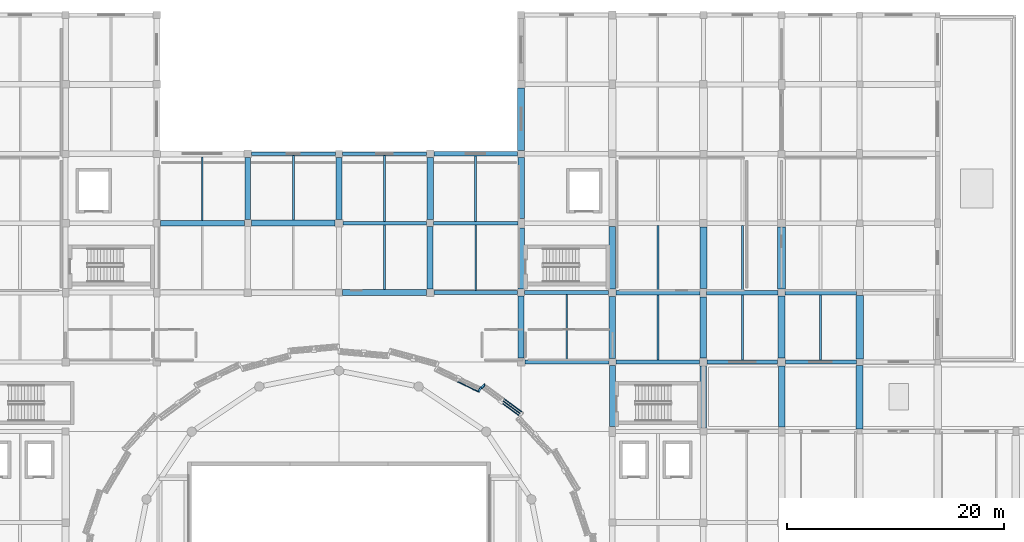
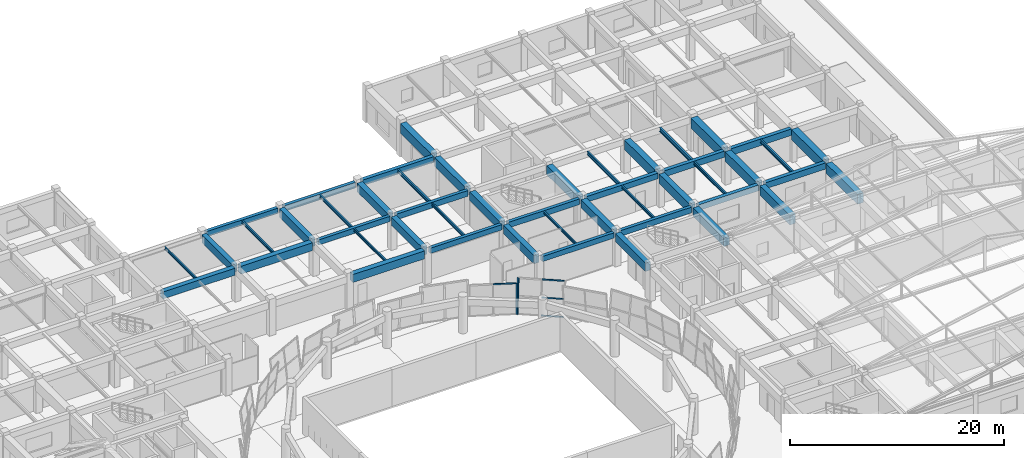
# One storey, part 36 of 74: 48 beams, 6 members, 2 elements without a shape of their own.
"""IFC4 building model written with IfcOpenShell, lengths in metres."""

from ifc_helpers import new_model, si_unit, direction, frame, origin, origin_2d, place, context, subcontext, project, spatial, rectangle, hollow_rectangle, i_section, extrude, material, material_profile, profile_set, type_object, element, aggregate, save


model = new_model("IFC4")

# Units and contexts
model_context = context("Model", 3, precision=1e-05, world=origin(), true_north=direction((0.0, 1.0)))
body_context = subcontext(model_context, "Body", "Model", "MODEL_VIEW")
ifc_project = project(units=[si_unit("LENGTHUNIT", "METRE"), si_unit("AREAUNIT", "SQUARE_METRE"), si_unit("VOLUMEUNIT", "CUBIC_METRE"), si_unit("PLANEANGLEUNIT", "RADIAN"), si_unit("MASSUNIT", "GRAM", prefix="KILO")], contexts=[model_context])

# Site, building, storey
site_placement = place(None, origin())
site = spatial("IfcSite", under=ifc_project, at=site_placement, CompositionType="ELEMENT")
building_placement = place(site_placement, origin())
building = spatial("IfcBuilding", under=site, at=building_placement, Name="Korsvaeld Concert Hall", CompositionType="ELEMENT")
storey_placement = place(building_placement, frame((0.0, 0.0, 9.0)))
storey = spatial("IfcBuildingStorey", under=building, at=storey_placement, Name="L02", CompositionType="ELEMENT", Elevation=9.0)

# Beams
ifc_material_1 = material(Name="Concrete C35/45", Category="concrete")
ifc_material_profile_1 = material_profile(ifc_material_1, rectangle(XDim=0.35009765625, YDim=0.60009765625, at=origin_2d()), Name="RC 350x600")
ifc_profile_set_1 = profile_set([ifc_material_profile_1], Name="Concrete C35/45")
beam_type_1 = type_object("IfcBeamType", Name="BM-RC-350x600", PredefinedType="T_BEAM", material=ifc_profile_set_1)
for number, where, z_axis, x_axis, name in (
    (1, (101.14990234375, 83.199951171875, 3.5400390625), (1.0, 0.0, 0.0), (0.0, 1.0, 0.0), "Primary girder 14-15/M L02"),
    (2, (92.75, 89.60009765625, 3.5400390625), (1.0, 0.0, 0.0), (0.0, 1.0, 0.0), "Primary girder 13-14/N L02"),
):
    element("IfcBeam", number, at=place(storey_placement, frame(where, z_axis=z_axis, x_axis=x_axis)), inside=storey, type_object=beam_type_1, Name=name, PredefinedType="T_BEAM", context=body_context, shape_type="SweptSolid", body=[
        extrude(rectangle(XDim=0.35009765625, YDim=0.60009765625, at=origin_2d()), origin(), (0.0, 0.0, 1.0), 7.72509765625),
    ])
beam_1_placement = place(storey_placement, frame((84.35009765625, 96.0, 3.5400390625), z_axis=(1.0, 0.0, 0.0), x_axis=(0.0, 1.0, 0.0)))
element("IfcBeam", 3, at=beam_1_placement, inside=storey, type_object=beam_type_1, Name="Primary girder 12-13/P L02", PredefinedType="T_BEAM", context=body_context, shape_type="SweptSolid", body=[
    extrude(rectangle(XDim=0.35009765625, YDim=0.60009765625, at=origin_2d()), origin(), (0.0, 0.0, 1.0), 7.724853515625),
])
beam_2_placement = place(storey_placement, frame((75.949951171875, 102.39990234375, 3.5400390625), z_axis=(1.0, 0.0, 0.0), x_axis=(0.0, 1.0, 0.0)))
element("IfcBeam", 4, at=beam_2_placement, inside=storey, type_object=beam_type_1, Name="Primary girder 11-12/Q L02", PredefinedType="T_BEAM", context=body_context, shape_type="SweptSolid", body=[
    extrude(rectangle(XDim=0.35009765625, YDim=0.60009765625, at=origin_2d()), origin(), (0.0, 0.0, 1.0), 7.72509765625),
])
ifc_material_profile_2 = material_profile(ifc_material_1, rectangle(XDim=0.35009765625, YDim=0.64990234375, at=origin_2d()), Name="RC 350x650")
ifc_profile_set_2 = profile_set([ifc_material_profile_2], Name="Concrete C35/45")
beam_type_2 = type_object("IfcBeamType", Name="BM-RC-350x650", PredefinedType="T_BEAM", material=ifc_profile_set_2)
for number, where, z_axis, x_axis, name in (
    (5, (109.52490234375, 83.199951171875, 3.514892578125), (1.0, 0.0, 0.0), (0.0, 1.0, 0.0), "Primary girder 15-16/M L02"),
    (6, (101.125, 89.60009765625, 3.514892578125), (1.0, 0.0, 0.0), (0.0, 1.0, 0.0), "Primary girder 14-15/N L02"),
):
    element("IfcBeam", number, at=place(storey_placement, frame(where, z_axis=z_axis, x_axis=x_axis)), inside=storey, type_object=beam_type_2, Name=name, PredefinedType="T_BEAM", context=body_context, shape_type="SweptSolid", body=[
        extrude(rectangle(XDim=0.35009765625, YDim=0.64990234375, at=origin_2d()), origin(), (0.0, 0.0, 1.0), 7.72509765625),
    ])
beam_3_placement = place(storey_placement, frame((92.72509765625, 96.0, 3.514892578125), z_axis=(1.0, 0.0, 0.0), x_axis=(0.0, 1.0, 0.0)))
element("IfcBeam", 7, at=beam_3_placement, inside=storey, type_object=beam_type_2, Name="Primary girder 13-14/P L02", PredefinedType="T_BEAM", context=body_context, shape_type="SweptSolid", body=[
    extrude(rectangle(XDim=0.35009765625, YDim=0.64990234375, at=origin_2d()), origin(), (0.0, 0.0, 1.0), 7.77490234375),
])
beam_4_placement = place(storey_placement, frame((84.324951171875, 102.39990234375, 3.514892578125), z_axis=(1.0, 0.0, 0.0), x_axis=(0.0, 1.0, 0.0)))
element("IfcBeam", 8, at=beam_4_placement, inside=storey, type_object=beam_type_2, Name="Primary girder 12-13/Q L02", PredefinedType="T_BEAM", context=body_context, shape_type="SweptSolid", body=[
    extrude(rectangle(XDim=0.35009765625, YDim=0.64990234375, at=origin_2d()), origin(), (0.0, 0.0, 1.0), 7.72509765625),
])
ifc_material_profile_3 = material_profile(ifc_material_1, rectangle(XDim=0.39990234375, YDim=0.64990234375, at=origin_2d()), Name="RC 400x650")
ifc_profile_set_3 = profile_set([ifc_material_profile_3], Name="Concrete C35/45")
beam_type_3 = type_object("IfcBeamType", Name="BM-RC-400x650", PredefinedType="T_BEAM", material=ifc_profile_set_3)
beam_5_placement = place(storey_placement, frame((117.949951171875, 83.199951171875, 3.514892578125), z_axis=(1.0, 0.0, 0.0), x_axis=(0.0, 1.0, 0.0)))
element("IfcBeam", 9, at=beam_5_placement, inside=storey, type_object=beam_type_3, Name="Primary girder 16-17/M L02", PredefinedType="T_BEAM", context=body_context, shape_type="SweptSolid", body=[
    extrude(rectangle(XDim=0.39990234375, YDim=0.64990234375, at=origin_2d()), origin(), (0.0, 0.0, 1.0), 6.5),
])
beam_6_placement = place(storey_placement, frame((109.550048828125, 89.60009765625, 3.514892578125), z_axis=(1.0, 0.0, 0.0), x_axis=(0.0, 1.0, 0.0)))
element("IfcBeam", 10, at=beam_6_placement, inside=storey, type_object=beam_type_3, Name="Primary girder 15-16/N L02", PredefinedType="T_BEAM", context=body_context, shape_type="SweptSolid", body=[
    extrude(rectangle(XDim=0.39990234375, YDim=0.64990234375, at=origin_2d()), origin(), (0.0, 0.0, 1.0), 7.75),
])
beam_7_placement = place(storey_placement, frame((92.75, 102.39990234375, 3.514892578125), z_axis=(1.0, 0.0, 0.0), x_axis=(0.0, 1.0, 0.0)))
element("IfcBeam", 11, at=beam_7_placement, inside=storey, type_object=beam_type_3, Name="Primary girder 13-14/Q L02", PredefinedType="T_BEAM", context=body_context, shape_type="SweptSolid", body=[
    extrude(rectangle(XDim=0.39990234375, YDim=0.64990234375, at=origin_2d()), origin(), (0.0, 0.0, 1.0), 7.72509765625),
])
ifc_material_profile_4 = material_profile(ifc_material_1, rectangle(XDim=0.39990234375, YDim=0.699951171875, at=origin_2d()), Name="RC 400x700")
ifc_profile_set_4 = profile_set([ifc_material_profile_4], Name="Concrete C35/45")
beam_type_4 = type_object("IfcBeamType", Name="BM-RC-400x700", PredefinedType="T_BEAM", material=ifc_profile_set_4)
beam_8_placement = place(storey_placement, frame((125.14990234375, 83.199951171875, 3.489990234375), z_axis=(1.0, 0.0, 0.0), x_axis=(0.0, 1.0, 0.0)))
element("IfcBeam", 12, at=beam_8_placement, inside=storey, type_object=beam_type_4, Name="Primary girder 17-18/M L02", PredefinedType="T_BEAM", context=body_context, shape_type="SweptSolid", body=[
    extrude(rectangle(XDim=0.39990234375, YDim=0.699951171875, at=origin_2d()), origin(), (0.0, 0.0, 1.0), 6.550048828125),
])
beam_9_placement = place(storey_placement, frame((117.89990234375, 89.60009765625, 3.489990234375), z_axis=(1.0, 0.0, 0.0), x_axis=(0.0, 1.0, 0.0)))
element("IfcBeam", 13, at=beam_9_placement, inside=storey, type_object=beam_type_4, Name="Primary girder 16-17/N L02", PredefinedType="T_BEAM", context=body_context, shape_type="SweptSolid", body=[
    extrude(rectangle(XDim=0.39990234375, YDim=0.699951171875, at=origin_2d()), origin(), (0.0, 0.0, 1.0), 6.5751953125),
])
ifc_material_profile_5 = material_profile(ifc_material_1, rectangle(XDim=0.39990234375, YDim=0.75, at=origin_2d()), Name="RC 400x750")
ifc_profile_set_5 = profile_set([ifc_material_profile_5], Name="Concrete C35/45")
beam_type_5 = type_object("IfcBeamType", Name="BM-RC-400x750", PredefinedType="T_BEAM", material=ifc_profile_set_5)
beam_10_placement = place(storey_placement, frame((125.125, 89.60009765625, 3.465087890625), z_axis=(1.0, 0.0, 0.0), x_axis=(0.0, 1.0, 0.0)))
element("IfcBeam", 14, at=beam_10_placement, inside=storey, type_object=beam_type_5, Name="Primary girder 17-18/N L02", PredefinedType="T_BEAM", context=body_context, shape_type="SweptSolid", body=[
    extrude(rectangle(XDim=0.39990234375, YDim=0.75, at=origin_2d()), origin(), (0.0, 0.0, 1.0), 6.60009765625),
])
ifc_material_2 = material(Name="Concrete C40/50", Category="concrete")
ifc_material_profile_6 = material_profile(ifc_material_2, rectangle(XDim=0.5, YDim=0.800048828125, at=origin_2d()), Name="RC 500x800")
ifc_profile_set_6 = profile_set([ifc_material_profile_6], Name="Concrete C40/50")
beam_type_6 = type_object("IfcBeamType", Name="BM-RC-500x800", PredefinedType="T_BEAM", material=ifc_profile_set_6)
beam_11_placement = place(storey_placement, frame((67.550048828125, 96.0, 3.43994140625), z_axis=(1.0, 0.0, 0.0), x_axis=(0.0, 1.0, 0.0)))
element("IfcBeam", 15, at=beam_11_placement, inside=storey, type_object=beam_type_6, Name="Primary girder 10-11/P L02", PredefinedType="T_BEAM", context=body_context, shape_type="SweptSolid", body=[
    extrude(rectangle(XDim=0.5, YDim=0.800048828125, at=origin_2d()), origin(), (0.0, 0.0, 1.0), 7.724853515625),
])
ifc_material_profile_7 = material_profile(ifc_material_2, rectangle(XDim=0.5, YDim=0.89990234375, at=origin_2d()), Name="RC 500x900")
ifc_profile_set_7 = profile_set([ifc_material_profile_7], Name="Concrete C40/50")
beam_type_7 = type_object("IfcBeamType", Name="BM-RC-500x900", PredefinedType="T_BEAM", material=ifc_profile_set_7)
beam_12_placement = place(storey_placement, frame((75.60009765625, 96.324951171875, 3.389892578125), z_axis=(0.0, 1.0, 0.0), x_axis=(-1.0, 0.0, 0.0)))
element("IfcBeam", 16, at=beam_12_placement, inside=storey, type_object=beam_type_7, Name="Primary girder 11/P-Q L02", PredefinedType="T_BEAM", context=body_context, shape_type="SweptSolid", body=[
    extrude(rectangle(XDim=0.5, YDim=0.89990234375, at=origin_2d()), origin(), (0.0, 0.0, 1.0), 5.72509765625),
])
ifc_material_profile_8 = material_profile(ifc_material_2, rectangle(XDim=0.550048828125, YDim=0.89990234375, at=origin_2d()), Name="RC 550x900")
ifc_profile_set_8 = profile_set([ifc_material_profile_8], Name="Concrete C40/50")
beam_type_8 = type_object("IfcBeamType", Name="BM-RC-550x900", PredefinedType="T_BEAM", material=ifc_profile_set_8)
beam_13_placement = place(storey_placement, frame((84.324951171875, 89.60009765625, 3.389892578125), z_axis=(1.0, 0.0, 0.0), x_axis=(0.0, 1.0, 0.0)))
element("IfcBeam", 17, at=beam_13_placement, inside=storey, type_object=beam_type_8, Name="Primary girder 12-13/N L02", PredefinedType="T_BEAM", context=body_context, shape_type="SweptSolid", body=[
    extrude(rectangle(XDim=0.550048828125, YDim=0.89990234375, at=origin_2d()), origin(), (0.0, 0.0, 1.0), 7.72509765625),
])
beam_14_placement = place(storey_placement, frame((75.925048828125, 96.0, 3.389892578125), z_axis=(1.0, 0.0, 0.0), x_axis=(0.0, 1.0, 0.0)))
element("IfcBeam", 18, at=beam_14_placement, inside=storey, type_object=beam_type_8, Name="Primary girder 11-12/P L02", PredefinedType="T_BEAM", context=body_context, shape_type="SweptSolid", body=[
    extrude(rectangle(XDim=0.550048828125, YDim=0.89990234375, at=origin_2d()), origin(), (0.0, 0.0, 1.0), 7.724853515625),
])
ifc_material_profile_9 = material_profile(ifc_material_2, rectangle(XDim=0.550048828125, YDim=0.949951171875, at=origin_2d()), Name="RC 550x950")
ifc_profile_set_9 = profile_set([ifc_material_profile_9], Name="Concrete C40/50")
beam_type_9 = type_object("IfcBeamType", Name="BM-RC-550x950", PredefinedType="T_BEAM", material=ifc_profile_set_9)
beam_15_placement = place(storey_placement, frame((84.0, 96.35009765625, 3.364990234375), z_axis=(0.0, 1.0, 0.0), x_axis=(-1.0, 0.0, 0.0)))
element("IfcBeam", 19, at=beam_15_placement, inside=storey, type_object=beam_type_9, Name="Primary girder 12/P-Q L02", PredefinedType="T_BEAM", context=body_context, shape_type="SweptSolid", body=[
    extrude(rectangle(XDim=0.550048828125, YDim=0.949951171875, at=origin_2d()), origin(), (0.0, 0.0, 1.0), 5.724853515625),
])
beam_16_placement = place(storey_placement, frame((92.39990234375, 89.949951171875, 3.364990234375), z_axis=(0.0, 1.0, 0.0), x_axis=(-1.0, 0.0, 0.0)))
element("IfcBeam", 20, at=beam_16_placement, inside=storey, type_object=beam_type_9, Name="Primary girder 13/N-P L02", PredefinedType="T_BEAM", context=body_context, shape_type="SweptSolid", body=[
    extrude(rectangle(XDim=0.550048828125, YDim=0.949951171875, at=origin_2d()), origin(), (0.0, 0.0, 1.0), 5.72509765625),
])
beam_17_placement = place(storey_placement, frame((100.800048828125, 83.550048828125, 3.364990234375), z_axis=(0.0, 1.0, 0.0), x_axis=(-1.0, 0.0, 0.0)))
element("IfcBeam", 21, at=beam_17_placement, inside=storey, type_object=beam_type_9, Name="Primary girder 14/M-N L02", PredefinedType="T_BEAM", context=body_context, shape_type="SweptSolid", body=[
    extrude(rectangle(XDim=0.550048828125, YDim=0.949951171875, at=origin_2d()), origin(), (0.0, 0.0, 1.0), 5.724853515625),
])
beam_18_placement = place(storey_placement, frame((109.199951171875, 77.25, 3.364990234375), z_axis=(0.0, 1.0, 0.0), x_axis=(-1.0, 0.0, 0.0)))
element("IfcBeam", 22, at=beam_18_placement, inside=storey, type_object=beam_type_9, Name="Primary girder 15/L-M L02", PredefinedType="T_BEAM", context=body_context, shape_type="SweptSolid", body=[
    extrude(rectangle(XDim=0.550048828125, YDim=0.949951171875, at=origin_2d()), origin(), (0.0, 0.0, 1.0), 5.625),
])
ifc_material_profile_10 = material_profile(ifc_material_2, rectangle(XDim=0.60009765625, YDim=1.050048828125, at=origin_2d()), Name="RC 600x1050")
ifc_profile_set_10 = profile_set([ifc_material_profile_10], Name="Concrete C40/50")
beam_type_10 = type_object("IfcBeamType", Name="BM-RC-600x1050", PredefinedType="T_BEAM", material=ifc_profile_set_10)
beam_19_placement = place(storey_placement, frame((100.800048828125, 96.449951171875, 3.31494140625), z_axis=(0.0, 1.0, 0.0), x_axis=(-1.0, 0.0, 0.0)))
element("IfcBeam", 23, at=beam_19_placement, inside=storey, type_object=beam_type_10, Name="Primary girder 14/P-Q L02", PredefinedType="T_BEAM", context=body_context, shape_type="SweptSolid", body=[
    extrude(rectangle(XDim=0.60009765625, YDim=1.050048828125, at=origin_2d()), origin(), (0.0, 0.0, 1.0), 5.625),
])
beam_20_placement = place(storey_placement, frame((109.199951171875, 89.949951171875, 3.31494140625), z_axis=(0.0, 1.0, 0.0), x_axis=(-1.0, 0.0, 0.0)))
element("IfcBeam", 24, at=beam_20_placement, inside=storey, type_object=beam_type_10, Name="Primary girder 15/N-P L02", PredefinedType="T_BEAM", context=body_context, shape_type="SweptSolid", body=[
    extrude(rectangle(XDim=0.60009765625, YDim=1.050048828125, at=origin_2d()), origin(), (0.0, 0.0, 1.0), 5.72509765625),
])
beam_21_placement = place(storey_placement, frame((117.60009765625, 83.550048828125, 3.31494140625), z_axis=(0.0, 1.0, 0.0), x_axis=(-1.0, 0.0, 0.0)))
element("IfcBeam", 25, at=beam_21_placement, inside=storey, type_object=beam_type_10, Name="Primary girder 16/M-N L02", PredefinedType="T_BEAM", context=body_context, shape_type="SweptSolid", body=[
    extrude(rectangle(XDim=0.60009765625, YDim=1.050048828125, at=origin_2d()), origin(), (0.0, 0.0, 1.0), 5.64990234375),
])
beam_22_placement = place(storey_placement, frame((124.800048828125, 77.199951171875, 3.31494140625), z_axis=(0.0, 1.0, 0.0), x_axis=(-1.0, 0.0, 0.0)))
element("IfcBeam", 26, at=beam_22_placement, inside=storey, type_object=beam_type_10, Name="Primary girder 17/L-M L02", PredefinedType="T_BEAM", context=body_context, shape_type="SweptSolid", body=[
    extrude(rectangle(XDim=0.60009765625, YDim=1.050048828125, at=origin_2d()), origin(), (0.0, 0.0, 1.0), 5.650146484375),
])
ifc_material_profile_11 = material_profile(ifc_material_2, rectangle(XDim=0.60009765625, YDim=0.949951171875, at=origin_2d()), Name="RC 600x950")
ifc_profile_set_11 = profile_set([ifc_material_profile_11], Name="Concrete C40/50")
beam_type_11 = type_object("IfcBeamType", Name="BM-RC-600x950", PredefinedType="T_BEAM", material=ifc_profile_set_11)
beam_23_placement = place(storey_placement, frame((92.39990234375, 96.324951171875, 3.364990234375), z_axis=(0.0, 1.0, 0.0), x_axis=(-1.0, 0.0, 0.0)))
element("IfcBeam", 27, at=beam_23_placement, inside=storey, type_object=beam_type_11, Name="Primary girder 13/P-Q L02", PredefinedType="T_BEAM", context=body_context, shape_type="SweptSolid", body=[
    extrude(rectangle(XDim=0.60009765625, YDim=0.949951171875, at=origin_2d()), origin(), (0.0, 0.0, 1.0), 5.72509765625),
])
beam_24_placement = place(storey_placement, frame((100.800048828125, 89.925048828125, 3.364990234375), z_axis=(0.0, 1.0, 0.0), x_axis=(-1.0, 0.0, 0.0)))
element("IfcBeam", 28, at=beam_24_placement, inside=storey, type_object=beam_type_11, Name="Primary girder 14/N-P L02", PredefinedType="T_BEAM", context=body_context, shape_type="SweptSolid", body=[
    extrude(rectangle(XDim=0.60009765625, YDim=0.949951171875, at=origin_2d()), origin(), (0.0, 0.0, 1.0), 5.625),
])
for number, where, z_axis, x_axis, name in (
    (29, (109.199951171875, 83.52490234375, 3.364990234375), (0.0, 1.0, 0.0), (-1.0, 0.0, 0.0), "Primary girder 15/M-N L02"),
    (30, (117.60009765625, 77.125, 3.364990234375), (0.0, 1.0, 0.0), (-1.0, 0.0, 0.0), "Primary girder 16/L-M L02"),
):
    element("IfcBeam", number, at=place(storey_placement, frame(where, z_axis=z_axis, x_axis=x_axis)), inside=storey, type_object=beam_type_11, Name=name, PredefinedType="T_BEAM", context=body_context, shape_type="SweptSolid", body=[
        extrude(rectangle(XDim=0.60009765625, YDim=0.949951171875, at=origin_2d()), origin(), (0.0, 0.0, 1.0), 5.72509765625),
    ])
ifc_material_profile_12 = material_profile(ifc_material_2, rectangle(XDim=0.64990234375, YDim=1.10009765625, at=origin_2d()), Name="RC 650x1100")
ifc_profile_set_12 = profile_set([ifc_material_profile_12], Name="Concrete C40/50")
beam_type_12 = type_object("IfcBeamType", Name="BM-RC-650x1100", PredefinedType="T_BEAM", material=ifc_profile_set_12)
beam_25_placement = place(storey_placement, frame((100.800048828125, 102.72509765625, 3.2900390625), z_axis=(0.0, 1.0, 0.0), x_axis=(-1.0, 0.0, 0.0)))
element("IfcBeam", 31, at=beam_25_placement, inside=storey, type_object=beam_type_12, Name="Primary girder 14/Q-R L02", PredefinedType="T_BEAM", context=body_context, shape_type="SweptSolid", body=[
    extrude(rectangle(XDim=0.64990234375, YDim=1.10009765625, at=origin_2d()), origin(), (0.0, 0.0, 1.0), 5.724853515625),
])
beam_26_placement = place(storey_placement, frame((117.60009765625, 90.0, 3.2900390625), z_axis=(0.0, 1.0, 0.0), x_axis=(-1.0, 0.0, 0.0)))
element("IfcBeam", 32, at=beam_26_placement, inside=storey, type_object=beam_type_12, Name="Primary girder 16/N-P L02", PredefinedType="T_BEAM", context=body_context, shape_type="SweptSolid", body=[
    extrude(rectangle(XDim=0.64990234375, YDim=1.10009765625, at=origin_2d()), origin(), (0.0, 0.0, 1.0), 5.64990234375),
])
beam_27_placement = place(storey_placement, frame((124.800048828125, 83.550048828125, 3.2900390625), z_axis=(0.0, 1.0, 0.0), x_axis=(-1.0, 0.0, 0.0)))
element("IfcBeam", 33, at=beam_27_placement, inside=storey, type_object=beam_type_12, Name="Primary girder 17/M-N L02", PredefinedType="T_BEAM", context=body_context, shape_type="SweptSolid", body=[
    extrude(rectangle(XDim=0.64990234375, YDim=1.10009765625, at=origin_2d()), origin(), (0.0, 0.0, 1.0), 5.724853515625),
])
beam_28_placement = place(storey_placement, frame((132.0, 77.02490234375, 3.2900390625), z_axis=(0.0, 1.0, 0.0), x_axis=(-1.0, 0.0, 0.0)))
element("IfcBeam", 34, at=beam_28_placement, inside=storey, type_object=beam_type_12, Name="Primary girder 18/L-M L02", PredefinedType="T_BEAM", context=body_context, shape_type="SweptSolid", body=[
    extrude(rectangle(XDim=0.64990234375, YDim=1.10009765625, at=origin_2d()), origin(), (0.0, 0.0, 1.0), 5.875),
])
ifc_material_profile_13 = material_profile(ifc_material_2, rectangle(XDim=0.699951171875, YDim=1.14990234375, at=origin_2d()), Name="RC 700x1150")
ifc_profile_set_13 = profile_set([ifc_material_profile_13], Name="Concrete C40/50")
beam_type_13 = type_object("IfcBeamType", Name="BM-RC-700x1150", PredefinedType="T_BEAM", material=ifc_profile_set_13)
beam_29_placement = place(storey_placement, frame((124.800048828125, 89.925048828125, 3.264892578125), z_axis=(0.0, 1.0, 0.0), x_axis=(-1.0, 0.0, 0.0)))
element("IfcBeam", 35, at=beam_29_placement, inside=storey, type_object=beam_type_13, Name="Primary girder 17/N-P L02", PredefinedType="T_BEAM", context=body_context, shape_type="SweptSolid", body=[
    extrude(rectangle(XDim=0.699951171875, YDim=1.14990234375, at=origin_2d()), origin(), (0.0, 0.0, 1.0), 5.724853515625),
])
beam_30_placement = place(storey_placement, frame((132.0, 83.5, 3.264892578125), z_axis=(0.0, 1.0, 0.0), x_axis=(-1.0, 0.0, 0.0)))
element("IfcBeam", 36, at=beam_30_placement, inside=storey, type_object=beam_type_13, Name="Primary girder 18/M-N L02", PredefinedType="T_BEAM", context=body_context, shape_type="SweptSolid", body=[
    extrude(rectangle(XDim=0.699951171875, YDim=1.14990234375, at=origin_2d()), origin(), (0.0, 0.0, 1.0), 5.824951171875),
])
ifc_material_3 = material(Name="Steel S355J2", Category="steel")
ifc_material_profile_14 = material_profile(ifc_material_3, i_section(OverallWidth=0.14990234375, OverallDepth=0.300048828125, WebThickness=0.007080078125, FlangeThickness=0.0107421875, FilletRadius=0.014892578125, at=origin_2d()), Name="IPE 300")
ifc_profile_set_14 = profile_set([ifc_material_profile_14], Name="Steel S355J2")
beam_type_14 = type_object("IfcBeamType", Name="BM-STL-IPE300", PredefinedType="JOIST", material=ifc_profile_set_14)
beam_31_placement = place(storey_placement, frame((71.39990234375, 96.25, 3.68994140625), z_axis=(0.0, 1.0, 0.0), x_axis=(-1.0, 0.0, 0.0)))
element("IfcBeam", 37, at=beam_31_placement, inside=storey, type_object=beam_type_14, Name="Secondary steel floor beam 10-11/P L02", PredefinedType="JOIST", context=body_context, shape_type="SweptSolid", body=[
    extrude(i_section(OverallWidth=0.14990234375, OverallDepth=0.300048828125, WebThickness=0.007080078125, FlangeThickness=0.0107421875, FilletRadius=0.014892578125, at=origin_2d()), origin(), (0.0, 0.0, 1.0), 5.875),
])
beam_32_placement = place(storey_placement, frame((88.199951171875, 89.875, 3.68994140625), z_axis=(0.0, 1.0, 0.0), x_axis=(-1.0, 0.0, 0.0)))
element("IfcBeam", 38, at=beam_32_placement, inside=storey, type_object=beam_type_14, Name="Secondary steel floor beam 12-13/N L02", PredefinedType="JOIST", context=body_context, shape_type="SweptSolid", body=[
    extrude(i_section(OverallWidth=0.14990234375, OverallDepth=0.300048828125, WebThickness=0.007080078125, FlangeThickness=0.0107421875, FilletRadius=0.014892578125, at=origin_2d()), origin(), (0.0, 0.0, 1.0), 5.949951171875),
])
beam_33_placement = place(storey_placement, frame((105.0, 83.375, 3.68994140625), z_axis=(0.0, 1.0, 0.0), x_axis=(-1.0, 0.0, 0.0)))
element("IfcBeam", 39, at=beam_33_placement, inside=storey, type_object=beam_type_14, Name="Secondary steel floor beam 14-15/M L02", PredefinedType="JOIST", context=body_context, shape_type="SweptSolid", body=[
    extrude(i_section(OverallWidth=0.14990234375, OverallDepth=0.300048828125, WebThickness=0.007080078125, FlangeThickness=0.0107421875, FilletRadius=0.014892578125, at=origin_2d()), origin(), (0.0, 0.0, 1.0), 6.050048828125),
])
ifc_material_profile_15 = material_profile(ifc_material_3, i_section(OverallWidth=0.159912109375, OverallDepth=0.330078125, WebThickness=0.007568359375, FlangeThickness=0.011474609375, FilletRadius=0.01806640625, at=origin_2d()), Name="IPE 330")
ifc_profile_set_15 = profile_set([ifc_material_profile_15], Name="Steel S355J2")
beam_type_15 = type_object("IfcBeamType", Name="BM-STL-IPE330", PredefinedType="BEAM", material=ifc_profile_set_15)
beam_34_placement = place(storey_placement, frame((79.800048828125, 96.27490234375, 3.675048828125), z_axis=(0.0, 1.0, 0.0), x_axis=(-1.0, 0.0, 0.0)))
element("IfcBeam", 40, at=beam_34_placement, inside=storey, type_object=beam_type_15, Name="Secondary steel floor beam 11-12/P L02", PredefinedType="BEAM", context=body_context, shape_type="SweptSolid", body=[
    extrude(i_section(OverallWidth=0.159912109375, OverallDepth=0.330078125, WebThickness=0.007568359375, FlangeThickness=0.011474609375, FilletRadius=0.01806640625, at=origin_2d()), origin(), (0.0, 0.0, 1.0), 5.9501953125),
])
beam_35_placement = place(storey_placement, frame((96.60009765625, 89.77490234375, 3.675048828125), z_axis=(0.0, 1.0, 0.0), x_axis=(-1.0, 0.0, 0.0)))
element("IfcBeam", 41, at=beam_35_placement, inside=storey, type_object=beam_type_15, Name="Secondary steel floor beam 13-14/N L02", PredefinedType="BEAM", context=body_context, shape_type="SweptSolid", body=[
    extrude(i_section(OverallWidth=0.159912109375, OverallDepth=0.330078125, WebThickness=0.007568359375, FlangeThickness=0.011474609375, FilletRadius=0.01806640625, at=origin_2d()), origin(), (0.0, 0.0, 1.0), 6.050048828125),
])
beam_36_placement = place(storey_placement, frame((113.39990234375, 83.375, 3.675048828125), z_axis=(0.0, 1.0, 0.0), x_axis=(-1.0, 0.0, 0.0)))
element("IfcBeam", 42, at=beam_36_placement, inside=storey, type_object=beam_type_15, Name="Secondary steel floor beam 15-16/M L02", PredefinedType="BEAM", context=body_context, shape_type="SweptSolid", body=[
    extrude(i_section(OverallWidth=0.159912109375, OverallDepth=0.330078125, WebThickness=0.007568359375, FlangeThickness=0.011474609375, FilletRadius=0.01806640625, at=origin_2d()), origin(), (0.0, 0.0, 1.0), 6.02490234375),
])
ifc_material_profile_16 = material_profile(ifc_material_3, i_section(OverallWidth=0.169921875, OverallDepth=0.360107421875, WebThickness=0.008056640625, FlangeThickness=0.0126953125, FilletRadius=0.01806640625, at=origin_2d()), Name="IPE 360")
ifc_profile_set_16 = profile_set([ifc_material_profile_16], Name="Steel S355J2")
beam_type_16 = type_object("IfcBeamType", Name="BM-STL-IPE360", PredefinedType="BEAM", material=ifc_profile_set_16)
beam_37_placement = place(storey_placement, frame((88.199951171875, 96.175048828125, 3.659912109375), z_axis=(0.0, 1.0, 0.0), x_axis=(-1.0, 0.0, 0.0)))
element("IfcBeam", 43, at=beam_37_placement, inside=storey, type_object=beam_type_16, Name="Secondary steel floor beam 12-13/P L02", PredefinedType="BEAM", context=body_context, shape_type="SweptSolid", body=[
    extrude(i_section(OverallWidth=0.169921875, OverallDepth=0.360107421875, WebThickness=0.008056640625, FlangeThickness=0.0126953125, FilletRadius=0.01806640625, at=origin_2d()), origin(), (0.0, 0.0, 1.0), 6.050048828125),
])
beam_38_placement = place(storey_placement, frame((121.199951171875, 83.39990234375, 3.659912109375), z_axis=(0.0, 1.0, 0.0), x_axis=(-1.0, 0.0, 0.0)))
element("IfcBeam", 44, at=beam_38_placement, inside=storey, type_object=beam_type_16, Name="Secondary steel floor beam 16-17/M L02", PredefinedType="BEAM", context=body_context, shape_type="SweptSolid", body=[
    extrude(i_section(OverallWidth=0.169921875, OverallDepth=0.360107421875, WebThickness=0.008056640625, FlangeThickness=0.0126953125, FilletRadius=0.01806640625, at=origin_2d()), origin(), (0.0, 0.0, 1.0), 6.0),
])
ifc_material_profile_17 = material_profile(ifc_material_3, i_section(OverallWidth=0.179931640625, OverallDepth=0.39990234375, WebThickness=0.008544921875, FlangeThickness=0.013427734375, FilletRadius=0.02099609375, at=origin_2d()), Name="IPE 400")
ifc_profile_set_17 = profile_set([ifc_material_profile_17], Name="Steel S355J2")
beam_type_17 = type_object("IfcBeamType", Name="BM-STL-IPE400", PredefinedType="BEAM", material=ifc_profile_set_17)
beam_39_placement = place(storey_placement, frame((96.60009765625, 96.175048828125, 3.639892578125), z_axis=(0.0, 1.0, 0.0), x_axis=(-1.0, 0.0, 0.0)))
element("IfcBeam", 45, at=beam_39_placement, inside=storey, type_object=beam_type_17, Name="Secondary steel floor beam 13-14/P L02", PredefinedType="BEAM", context=body_context, shape_type="SweptSolid", body=[
    extrude(i_section(OverallWidth=0.179931640625, OverallDepth=0.39990234375, WebThickness=0.008544921875, FlangeThickness=0.013427734375, FilletRadius=0.02099609375, at=origin_2d()), origin(), (0.0, 0.0, 1.0), 6.02490234375),
])
for number, where, z_axis, x_axis, name in (
    (46, (113.39990234375, 89.800048828125, 3.639892578125), (0.0, 1.0, 0.0), (-1.0, 0.0, 0.0), "Secondary steel floor beam 15-16/N L02"),
    (47, (128.39990234375, 83.39990234375, 3.639892578125), (0.0, 1.0, 0.0), (-1.0, 0.0, 0.0), "Secondary steel floor beam 17-18/M L02"),
):
    element("IfcBeam", number, at=place(storey_placement, frame(where, z_axis=z_axis, x_axis=x_axis)), inside=storey, type_object=beam_type_17, Name=name, PredefinedType="BEAM", context=body_context, shape_type="SweptSolid", body=[
        extrude(i_section(OverallWidth=0.179931640625, OverallDepth=0.39990234375, WebThickness=0.008544921875, FlangeThickness=0.013427734375, FilletRadius=0.02099609375, at=origin_2d()), origin(), (0.0, 0.0, 1.0), 6.0),
    ])
ifc_material_profile_18 = material_profile(ifc_material_3, i_section(OverallWidth=0.18994140625, OverallDepth=0.449951171875, WebThickness=0.009521484375, FlangeThickness=0.0146484375, FilletRadius=0.02099609375, at=origin_2d()), Name="IPE 450")
ifc_profile_set_18 = profile_set([ifc_material_profile_18], Name="Steel S355J2")
beam_type_18 = type_object("IfcBeamType", Name="BM-STL-IPE450", PredefinedType="BEAM", material=ifc_profile_set_18)
beam_40_placement = place(storey_placement, frame((121.199951171875, 89.800048828125, 3.614990234375), z_axis=(0.0, 1.0, 0.0), x_axis=(-1.0, 0.0, 0.0)))
element("IfcBeam", 48, at=beam_40_placement, inside=storey, type_object=beam_type_18, Name="Secondary steel floor beam 16-17/N L02", PredefinedType="BEAM", context=body_context, shape_type="SweptSolid", body=[
    extrude(i_section(OverallWidth=0.18994140625, OverallDepth=0.449951171875, WebThickness=0.009521484375, FlangeThickness=0.0146484375, FilletRadius=0.02099609375, at=origin_2d()), origin(), (0.0, 0.0, 1.0), 6.0),
])

# Curtain wall, member
ifc_material_4 = material(Name="Anodised bronze and ceramic-fritted safety glass", Category="glass")
curtain_wall_type_1 = type_object("IfcCurtainWallType", Name="CW-TYPE-06", PredefinedType="USERDEFINED", material=ifc_material_4)
curtain_wall_1_placement = place(storey_placement, origin())
curtain_wall_1 = element("IfcCurtainWall", 49, at=curtain_wall_1_placement, inside=storey, type_object=curtain_wall_type_1, Name="Crystal curtain-wall facet L02 F06", ObjectType="CURTAIN WALL", PredefinedType="USERDEFINED")
ifc_material_5 = material(Name="Anodised architectural bronze aluminium", Category="aluminium")
ifc_material_profile_19 = material_profile(ifc_material_5, hollow_rectangle(XDim=0.074951171875, YDim=0.179931640625, WallThickness=0.0048828125, at=origin_2d()), Name="CWM 180x75x5")
ifc_profile_set_19 = profile_set([ifc_material_profile_19], Name="Anodised architectural bronze aluminium")
member_type_1 = type_object("IfcMemberType", Name="CWM-BRONZE-180x75", PredefinedType="MULLION", material=ifc_profile_set_19)
member_1_placement = place(storey_placement, frame((97.07763671875, 80.843505859375, 0.0), z_axis=(-0.057893742062, -0.097281493141, 0.993571651026), x_axis=(-0.829999138773, -0.548349174532, -0.102052008437)))
member_1 = element("IfcMember", 50, at=member_1_placement, type_object=member_type_1, Name="CW-CRYS-L02-F06 crystal mullion 1", PredefinedType="MULLION", context=body_context, shape_type="SweptSolid", body=[
    extrude(hollow_rectangle(XDim=0.074951171875, YDim=0.179931640625, WallThickness=0.0048828125, at=origin_2d()), origin(), (0.0, 0.0, 1.0), 3.905029296875),
])

# Curtain wall, members
curtain_wall_type_2 = type_object("IfcCurtainWallType", Name="CW-TYPE-05", PredefinedType="USERDEFINED", material=ifc_material_4)
curtain_wall_2_placement = place(storey_placement, origin())
curtain_wall_2 = element("IfcCurtainWall", 51, at=curtain_wall_2_placement, inside=storey, type_object=curtain_wall_type_2, Name="Crystal curtain-wall facet L02 F05", ObjectType="CURTAIN WALL", PredefinedType="USERDEFINED")
ifc_material_profile_20 = material_profile(ifc_material_5, hollow_rectangle(XDim=0.074951171875, YDim=0.219970703125, WallThickness=0.006103515625, at=origin_2d()), Name="CWM 220x75x6")
ifc_profile_set_20 = profile_set([ifc_material_profile_20], Name="Anodised architectural bronze aluminium")
member_type_2 = type_object("IfcMemberType", Name="CWM-BRONZE-220x75", PredefinedType="MULLION", material=ifc_profile_set_20)
member_2_placement = place(storey_placement, frame((97.1416015625, 80.804931640625, 0.0), z_axis=(0.076399398433, 0.083589194521, 0.993567299421), x_axis=(0.977549491387, 0.189970185789, -0.091149988477)))
member_2 = element("IfcMember", 52, at=member_2_placement, type_object=member_type_2, Name="CW-CRYS-L02-F05 crystal mullion 3", PredefinedType="MULLION", context=body_context, shape_type="SweptSolid", body=[
    extrude(hollow_rectangle(XDim=0.074951171875, YDim=0.219970703125, WallThickness=0.006103515625, at=origin_2d()), origin(), (0.0, 0.0, 1.0), 3.905029296875),
])
ifc_material_profile_21 = material_profile(ifc_material_5, hollow_rectangle(XDim=0.074951171875, YDim=0.14990234375, WallThickness=0.0048828125, at=origin_2d()), Name="CWT 150x75x5")
ifc_profile_set_21 = profile_set([ifc_material_profile_21], Name="Anodised architectural bronze aluminium")
member_type_3 = type_object("IfcMemberType", Name="CWT-BRONZE-150x75", PredefinedType="USERDEFINED", material=ifc_profile_set_21)
member_3_placement = place(storey_placement, frame((100.629638671875, 78.23779296875, 0.030029296875), z_axis=(-0.804904507896, 0.593404358906, 0.0), x_axis=(-0.593404358906, -0.804904507896, 0.0)))
member_3 = element("IfcMember", 53, at=member_3_placement, type_object=member_type_3, Name="CW-CRYS-L02-F05 crystal transom 1.1", ObjectType="TRANSOM", PredefinedType="USERDEFINED", context=body_context, shape_type="SweptSolid", body=[
    extrude(hollow_rectangle(XDim=0.074951171875, YDim=0.14990234375, WallThickness=0.0048828125, at=origin_2d()), origin(), (0.0, 0.0, 1.0), 2.10888671875),
])
member_4_placement = place(storey_placement, frame((100.7763671875, 78.3984375, 1.93994140625), z_axis=(-0.804904507896, 0.593404358906, 0.0), x_axis=(-0.593404358906, -0.804904507896, 0.0)))
member_4 = element("IfcMember", 54, at=member_4_placement, type_object=member_type_3, Name="CW-CRYS-L02-F05 crystal transom 1.2", ObjectType="TRANSOM", PredefinedType="USERDEFINED", context=body_context, shape_type="SweptSolid", body=[
    extrude(hollow_rectangle(XDim=0.074951171875, YDim=0.14990234375, WallThickness=0.0048828125, at=origin_2d()), origin(), (0.0, 0.0, 1.0), 2.10888671875),
])
member_5_placement = place(storey_placement, frame((100.923095703125, 78.55908203125, 3.85009765625), z_axis=(-0.804904507896, 0.593404358906, 0.0), x_axis=(-0.593404358906, -0.804904507896, 0.0)))
member_5 = element("IfcMember", 55, at=member_5_placement, type_object=member_type_3, Name="CW-CRYS-L02-F05 crystal transom 1.3", ObjectType="TRANSOM", PredefinedType="USERDEFINED", context=body_context, shape_type="SweptSolid", body=[
    extrude(hollow_rectangle(XDim=0.074951171875, YDim=0.14990234375, WallThickness=0.0048828125, at=origin_2d()), origin(), (0.0, 0.0, 1.0), 2.10888671875),
])
aggregate(curtain_wall_2, [member_2, member_3, member_4, member_5])

# Member
member_6_placement = place(storey_placement, frame((96.819580078125, 80.482666015625, 3.85009765625), z_axis=(-0.901464591462, 0.432852850679, 0.0), x_axis=(-0.432852850679, -0.901464591462, 0.0)))
member_6 = element("IfcMember", 56, at=member_6_placement, type_object=member_type_3, Name="CW-CRYS-L02-F06 crystal transom 1.3", ObjectType="TRANSOM", PredefinedType="USERDEFINED", context=body_context, shape_type="SweptSolid", body=[
    extrude(hollow_rectangle(XDim=0.074951171875, YDim=0.14990234375, WallThickness=0.0048828125, at=origin_2d()), origin(), (0.0, 0.0, 1.0), 2.150634765625),
])

aggregate(curtain_wall_1, [member_1, member_6])

save(model, "model.ifc")
